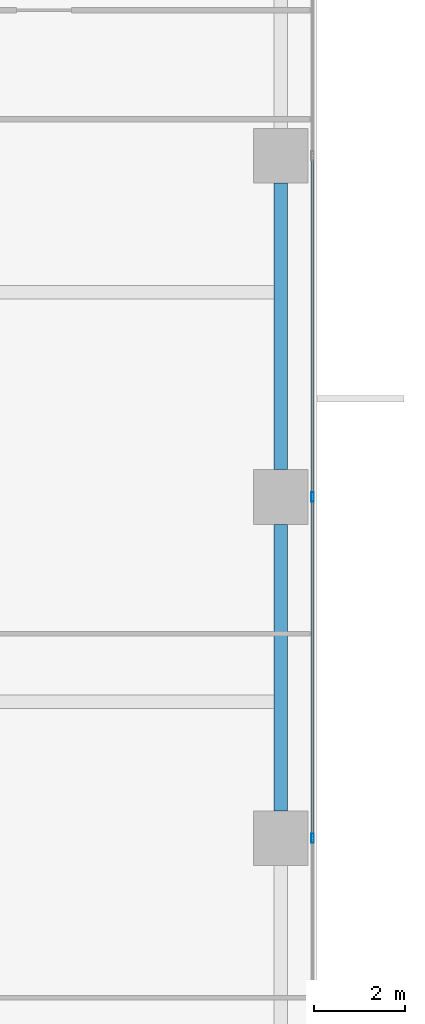
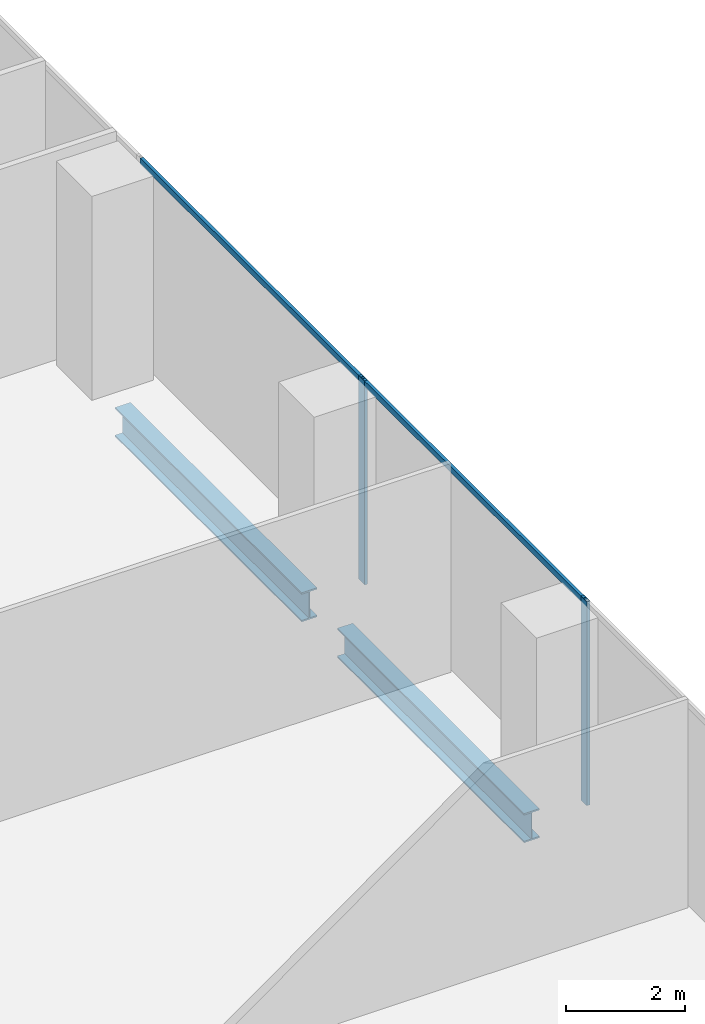
# One storey, part 11 of 33: 4 members, 2 beams, 1 element without a shape of its own.
"""IFC4 building model written with IfcOpenShell, lengths in metres."""

from ifc_helpers import new_model, si_unit, direction, frame, origin, origin_2d, place, context, subcontext, project, spatial, hollow_rectangle, i_section, extrude, source, transform, mapped, material, material_profile, profile_set, type_object, element, aggregate, save


model = new_model("IFC4")

# Units and contexts
model_context = context("Model", 3, precision=1e-05, world=origin(), true_north=direction((0.0, 1.0)))
body_context = subcontext(model_context, "Body", "Model", "MODEL_VIEW")
ifc_project = project(units=[si_unit("LENGTHUNIT", "METRE"), si_unit("AREAUNIT", "SQUARE_METRE"), si_unit("VOLUMEUNIT", "CUBIC_METRE"), si_unit("PLANEANGLEUNIT", "RADIAN"), si_unit("MASSUNIT", "GRAM", prefix="KILO")], contexts=[model_context])

# Site, building, storey
site_placement = place(None, origin())
site = spatial("IfcSite", under=ifc_project, at=site_placement, CompositionType="ELEMENT")
building_placement = place(site_placement, origin())
building = spatial("IfcBuilding", under=site, at=building_placement, Name="Khomas Fold Tower", CompositionType="ELEMENT")
storey_placement = place(building_placement, frame((0.0, 0.0, 55.5)))
storey = spatial("IfcBuildingStorey", under=building, at=storey_placement, Name="L11", CompositionType="ELEMENT", Elevation=55.5)

# Beams
ifc_material_1 = material(Name="Steel S355", Category="steel")
ifc_material_profile_1 = material_profile(ifc_material_1, i_section(OverallWidth=0.300048828125, OverallDepth=0.60009765625, WebThickness=0.015380859375, FlangeThickness=0.030029296875, at=origin_2d()), Name="HE 600 B")
ifc_profile_set_1 = profile_set([ifc_material_profile_1], Name="Steel S355")
beam_type = type_object("IfcBeamType", Name="HE 600 B spandrel SB1", PredefinedType="SPANDREL", material=ifc_profile_set_1)
shared_shape_1 = source(origin(), body_context, "Body", "SweptSolid", [
    extrude(i_section(OverallWidth=0.300048828125, OverallDepth=0.60009765625, WebThickness=0.015380859375, FlangeThickness=0.030029296875, at=origin_2d()), origin(), (0.0, 0.0, 1.0), 6.2998046875),
])
for number, where, z_axis, x_axis, name in (
    (1, (53.199951171875, 20.10009765625, -0.60009765625), (0.0, 1.0, 0.0), (-1.0, 0.0, 0.0), "SB1"),
    (2, (53.199951171875, 27.60009765625, -0.60009765625), (0.0, 1.0, 0.0), (-1.0, 0.0, 0.0), "SB1"),
):
    element("IfcBeam", number, at=place(storey_placement, frame(where, z_axis=z_axis, x_axis=x_axis)), inside=storey, type_object=beam_type, Name=name, PredefinedType="SPANDREL", context=body_context, shape_type="MappedRepresentation", body=[
        mapped(shared_shape_1, transform((0.0, 0.0, 0.0))),
    ])

# Curtain wall, members
ifc_material_2 = material(Name="Aluminium framed double glazing", Category="aluminium")
curtain_wall_type = type_object("IfcCurtainWallType", Name="SK-Unitised clear-glass wall, growing floors CW1", PredefinedType="NOTDEFINED", material=ifc_material_2)
curtain_wall_placement = place(storey_placement, origin())
curtain_wall = element("IfcCurtainWall", 3, at=curtain_wall_placement, inside=storey, type_object=curtain_wall_type, Name="CW1 run L11 03-0", PredefinedType="NOTDEFINED")
ifc_material_3 = material(Name="Aluminium", Category="aluminium")
ifc_material_profile_2 = material_profile(ifc_material_3, hollow_rectangle(XDim=0.06005859375, YDim=0.1201171875, WallThickness=0.00390625, at=origin_2d()), Name="SK-Unitised clear-glass wall, growing floors transom CW1-T")
ifc_profile_set_2 = profile_set([ifc_material_profile_2], Name="Aluminium")
member_type_1 = type_object("IfcMemberType", Name="SK-Unitised clear-glass wall, growing floors transom CW1-T", PredefinedType="USERDEFINED", material=ifc_profile_set_2)
shared_shape_2 = source(origin(), body_context, "Body", "SweptSolid", [
    extrude(hollow_rectangle(XDim=0.06005859375, YDim=0.1201171875, WallThickness=0.00390625, at=origin_2d()), origin(), (0.0, 0.0, 1.0), 7.43994140625),
])
member_1_placement = place(storey_placement, frame((53.89990234375, 19.530029296875, 4.139892578125), z_axis=(0.0, 1.0, 0.0), x_axis=(-1.0, 0.0, 0.0)))
member_1 = element("IfcMember", 4, at=member_1_placement, type_object=member_type_1, Name="CW1 transom 4", ObjectType="TRANSOM", PredefinedType="USERDEFINED", context=body_context, shape_type="MappedRepresentation", body=[
    mapped(shared_shape_2, transform((0.0, 0.0, 0.0))),
])
member_2_placement = place(storey_placement, frame((53.89990234375, 27.030029296875, 4.139892578125), z_axis=(0.0, 1.0, 0.0), x_axis=(-1.0, 0.0, 0.0)))
member_2 = element("IfcMember", 5, at=member_2_placement, type_object=member_type_1, Name="CW1 transom 5", ObjectType="TRANSOM", PredefinedType="USERDEFINED", context=body_context, shape_type="MappedRepresentation", body=[
    mapped(shared_shape_2, transform((0.0, 0.0, 0.0))),
])
ifc_material_4 = material(Name="Aluminium", Category="aluminium")
ifc_material_profile_3 = material_profile(ifc_material_4, hollow_rectangle(XDim=0.06005859375, YDim=0.199951171875, WallThickness=0.00390625, at=origin_2d()), Name="SK-Unitised clear-glass wall, growing floors mullion CW1-M")
ifc_profile_set_3 = profile_set([ifc_material_profile_3], Name="Aluminium")
member_type_2 = type_object("IfcMemberType", Name="SK-Unitised clear-glass wall, growing floors mullion CW1-M", PredefinedType="MULLION", material=ifc_profile_set_3)
shared_shape_3 = source(origin(), body_context, "Body", "SweptSolid", [
    extrude(hollow_rectangle(XDim=0.06005859375, YDim=0.199951171875, WallThickness=0.00390625, at=origin_2d()), origin(), (0.0, 0.0, 1.0), 4.199951171875),
])
member_3_placement = place(storey_placement, frame((53.89990234375, 19.5, 0.0), z_axis=(0.0, 0.0, 1.0), x_axis=(-1.0, 0.0, 0.0)))
member_3 = element("IfcMember", 6, at=member_3_placement, type_object=member_type_2, Name="CW1 mullion 4", PredefinedType="MULLION", context=body_context, shape_type="MappedRepresentation", body=[
    mapped(shared_shape_3, transform((0.0, 0.0, 0.0))),
])
member_4_placement = place(storey_placement, frame((53.89990234375, 27.0, 0.0), z_axis=(0.0, 0.0, 1.0), x_axis=(-1.0, 0.0, 0.0)))
member_4 = element("IfcMember", 7, at=member_4_placement, type_object=member_type_2, Name="CW1 mullion 5", PredefinedType="MULLION", context=body_context, shape_type="MappedRepresentation", body=[
    mapped(shared_shape_3, transform((0.0, 0.0, 0.0))),
])
aggregate(curtain_wall, [member_3, member_4, member_1, member_2])

save(model, "model.ifc")
